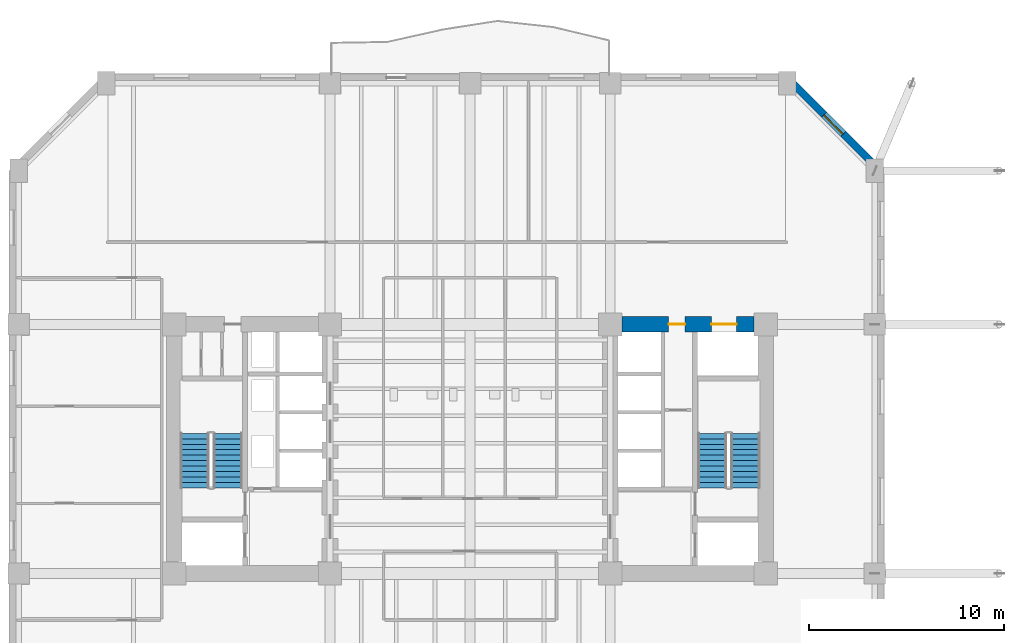
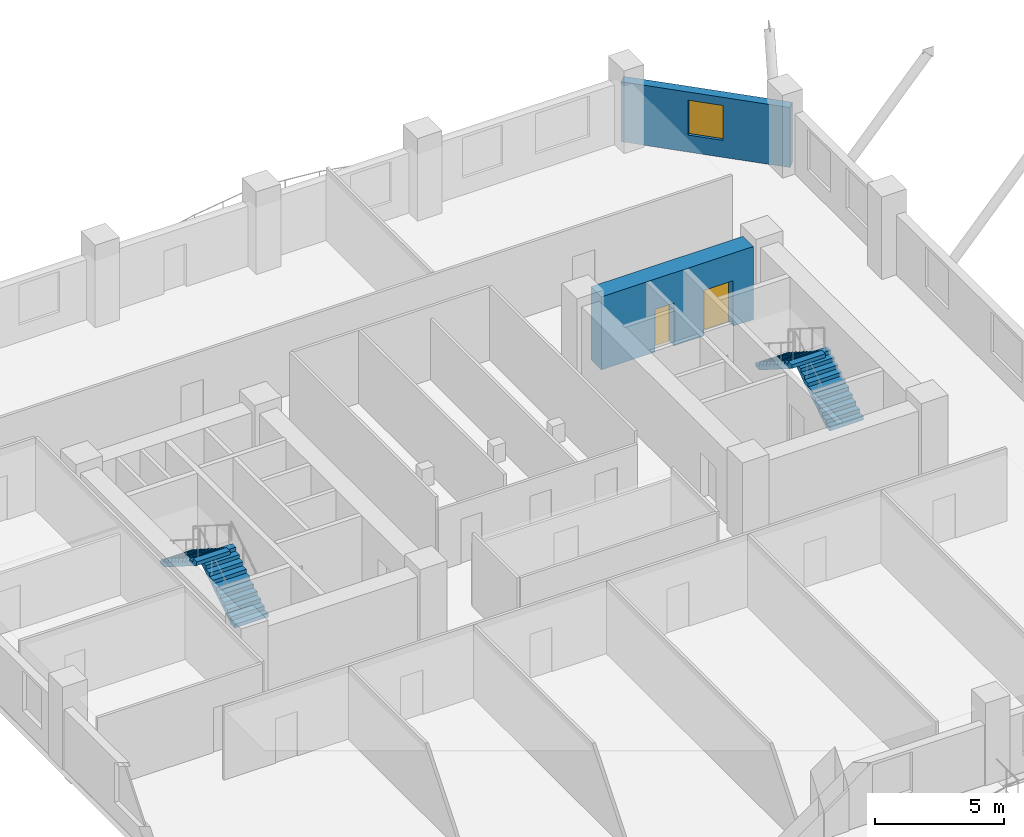
# One storey, part 8 of 13: 4 stair flights, 2 doors, 2 walls, 1 window, 3 openings, 2 elements without a shape of their own.
"""IFC4 building model written with IfcOpenShell, lengths in metres."""

from ifc_helpers import new_model, si_unit, direction, frame, frame_2d, origin, place, context, subcontext, project, spatial, polyline, rectangle, outline, extrude, material, layer, layer_set, type_object, element, fill, aggregate, save


model = new_model("IFC4")

# Units and contexts
model_context = context("Model", 3, precision=1e-05, world=origin(), true_north=direction((0.0, 1.0)))
body_context = subcontext(model_context, "Body", "Model", "MODEL_VIEW")
ifc_project = project(units=[si_unit("LENGTHUNIT", "METRE"), si_unit("AREAUNIT", "SQUARE_METRE"), si_unit("VOLUMEUNIT", "CUBIC_METRE"), si_unit("PLANEANGLEUNIT", "RADIAN"), si_unit("MASSUNIT", "GRAM", prefix="KILO")], contexts=[model_context])

# Site, building, storey
site_placement = place(None, origin())
site = spatial("IfcSite", under=ifc_project, at=site_placement, CompositionType="ELEMENT")
building_placement = place(site_placement, origin())
building = spatial("IfcBuilding", under=site, at=building_placement, Name="Kranthara Brick Stack", CompositionType="ELEMENT")
storey_placement = place(building_placement, frame((0.0, 0.0, 43.800048828125)))
storey = spatial("IfcBuildingStorey", under=building, at=storey_placement, Name="L10", CompositionType="ELEMENT", Elevation=43.800048828125)

# Wall, opening, window
ifc_material_1 = material(Name="Kiln-fired clay brick masonry M15", Category="masonry")
ifc_layer_1 = layer(ifc_material_1, 0.3798828125)
ifc_layer_set_1 = layer_set([ifc_layer_1], Name="Kiln-fired clay brick masonry M15")
wall_type_1 = type_object("IfcWallType", Name="WL-BRK-PIER-380", PredefinedType="STANDARD", material=ifc_layer_set_1)
wall_1_placement = place(storey_placement, frame((44.300048828125, 46.2900390625, 0.0), z_axis=(0.0, 0.0, 1.0), x_axis=(0.707106781187, -0.707106781187, 0.0)))
wall_1 = element("IfcWall", 1, at=wall_1_placement, inside=storey, type_object=wall_type_1, Name="L10 Exterior Brick Facade Wall NE 1", PredefinedType="STANDARD", context=body_context, shape_type="SweptSolid", body=[
    extrude(rectangle(XDim=6.774169921875, YDim=0.3798828125, at=frame_2d((3.38720703125, 0.0))), origin(), (0.0, 0.0, 1.0), 2.8349609375),
])
opening_1_placement = place(wall_1_placement, frame((2.68701171875, 0.0, 0.800048828125)))
opening_1 = element("IfcOpeningElement", 2, at=opening_1_placement, cuts=wall_1, Name="Opening WN10", PredefinedType="OPENING", context=body_context, shape_type="SweptSolid", body=[
    extrude(rectangle(XDim=1.39990234375, YDim=1.64990234375, at=frame_2d((0.699951171875, 0.824951171875))), frame((0.0, 0.199951171875, 0.0), z_axis=(0.0, -1.0, 0.0), x_axis=(1.0, 0.0, 0.0)), (0.0, 0.0, 1.0), 0.39990234375),
])
ifc_material_2 = material(Name="Double-glazed low-E solar control glass", Category="glass")
window_type = type_object("IfcWindowType", Name="WN-CHM-1400x1750", PartitioningType="SINGLE_PANEL", PredefinedType="WINDOW", material=ifc_material_2)
window_placement = place(opening_1_placement, origin())
window = element("IfcWindow", 3, at=window_placement, inside=storey, type_object=window_type, Name="L10 NE Chamfer Corner Window", OverallHeight=1.64990234375, OverallWidth=1.39990234375, PartitioningType="SINGLE_PANEL", PredefinedType="WINDOW", context=body_context, shape_type="SweptSolid", body=[
    extrude(rectangle(XDim=1.39990234375, YDim=1.64990234375, at=frame_2d((0.699951171875, 0.824951171875))), frame((0.0, -0.010009765625, 0.0), z_axis=(0.0, -1.0, 0.0), x_axis=(1.0, 0.0, 0.0)), (0.0, 0.0, 1.0), 0.06005859375),
])
fill(opening_1, window)

# Wall, openings, doors
ifc_material_3 = material(Name="Concrete C70/85", Category="concrete")
ifc_layer_2 = layer(ifc_material_3, 0.800048828125)
ifc_layer_set_2 = layer_set([ifc_layer_2], Name="Concrete C70/85")
wall_type_2 = type_object("IfcWallType", Name="WL-CORE-800", PredefinedType="SHEAR", material=ifc_layer_set_2)
wall_2_placement = place(storey_placement, frame((35.804931640625, 33.60009765625, 0.0), z_axis=(0.0, 0.0, 1.0), x_axis=(1.0, 0.0, 0.0)))
wall_2 = element("IfcWall", 4, at=wall_2_placement, inside=storey, type_object=wall_type_2, Name="L10 East Core Shear Wall North", PredefinedType="SHEAR", context=body_context, shape_type="SweptSolid", body=[
    extrude(rectangle(XDim=6.7900390625, YDim=0.800048828125, at=frame_2d((3.39501953125, 0.0))), origin(), (0.0, 0.0, 1.0), 3.449951171875),
])
opening_2_placement = place(wall_2_placement, frame((4.594970703125, 0.0, 0.0)))
opening_2 = element("IfcOpeningElement", 5, at=opening_2_placement, cuts=wall_2, Name="Opening LD03", PredefinedType="OPENING", context=body_context, shape_type="SweptSolid", body=[
    extrude(rectangle(XDim=1.300048828125, YDim=2.14990234375, at=frame_2d((0.64990234375, 1.074951171875))), frame((0.0, 0.409912109375, 0.0), z_axis=(0.0, -1.0, 0.0), x_axis=(1.0, 0.0, 0.0)), (0.0, 0.0, 1.0), 0.820068359375),
])
opening_3_placement = place(wall_2_placement, frame((2.39501953125, 0.0, 0.0)))
opening_3 = element("IfcOpeningElement", 6, at=opening_3_placement, cuts=wall_2, Name="Opening D10", PredefinedType="OPENING", context=body_context, shape_type="SweptSolid", body=[
    extrude(rectangle(XDim=0.85009765625, YDim=2.02001953125, at=frame_2d((0.425048828125, 1.010009765625))), frame((0.0, 0.409912109375, 0.0), z_axis=(0.0, -1.0, 0.0), x_axis=(1.0, 0.0, 0.0)), (0.0, 0.0, 1.0), 0.820068359375),
])
ifc_material_4 = material(Name="Stainless steel sliding landing door", Category="steel")
door_type_1 = type_object("IfcDoorType", Name="DR-LD-SV1300", OperationType="DOUBLE_DOOR_SLIDING", PredefinedType="DOOR", material=ifc_material_4)
door_1_placement = place(opening_2_placement, origin())
door_1 = element("IfcDoor", 7, at=door_1_placement, inside=storey, type_object=door_type_1, Name="L10 Stretcher Service Lift SV-01 Landing Door", OperationType="DOUBLE_DOOR_SLIDING", OverallHeight=2.14990234375, OverallWidth=1.300048828125, PredefinedType="DOOR", context=body_context, shape_type="SweptSolid", body=[
    extrude(rectangle(XDim=1.300048828125, YDim=2.14990234375, at=frame_2d((0.64990234375, 1.074951171875))), frame((0.0, 0.02490234375, 0.0), z_axis=(0.0, -1.0, 0.0), x_axis=(1.0, 0.0, 0.0)), (0.0, 0.0, 1.0), 0.050048828125),
])
fill(opening_2, door_1)
ifc_material_5 = material(Name="Solid-core hardwood timber leaf in steel frame", Category="steel")
door_type_2 = type_object("IfcDoorType", Name="DR-RSR-850", OperationType="NOTDEFINED", PredefinedType="DOOR", material=ifc_material_5)
door_2_placement = place(opening_3_placement, origin())
door_2 = element("IfcDoor", 8, at=door_2_placement, inside=storey, type_object=door_type_2, Name="L10 East Core Service Room Door", OperationType="SINGLE_SWING_LEFT", OverallHeight=2.02001953125, OverallWidth=0.85009765625, PredefinedType="DOOR", context=body_context, shape_type="SweptSolid", body=[
    extrude(rectangle(XDim=0.85009765625, YDim=2.02001953125, at=frame_2d((0.425048828125, 1.010009765625))), frame((0.0, 0.02490234375, 0.0), z_axis=(0.0, -1.0, 0.0), x_axis=(1.0, 0.0, 0.0)), (0.0, 0.0, 1.0), 0.050048828125),
])
fill(opening_3, door_2)

# Stair, stair flights
ifc_material_6 = material(Name="Concrete C45/55", Category="concrete")
stair_type = type_object("IfcStairType", Name="ST-CORE-22R", PredefinedType="HALF_TURN_STAIR", material=ifc_material_6)
stair_1_placement = place(storey_placement, origin())
stair_1 = element("IfcStair", 9, at=stair_1_placement, inside=storey, type_object=stair_type, Name="L10 West Core Protected Exit Stair ST01", PredefinedType="HALF_TURN_STAIR")
ifc_material_7 = material(Name="Concrete C45/55", Category="concrete")
stair_flight_type = type_object("IfcStairFlightType", Name="SFL-RC-22R", PredefinedType="STRAIGHT", material=ifc_material_7)
stair_flight_1_placement = place(storey_placement, frame((15.550048828125, 25.199951171875, 0.0), z_axis=(0.0, 0.0, 1.0), x_axis=(0.0, 1.0, 0.0)))
stair_flight_1 = element("IfcStairFlight", 10, at=stair_flight_1_placement, type_object=stair_flight_type, Name="ST01 flight 1", NumberOfRisers=11, NumberOfTreads=10, PredefinedType="STRAIGHT", RiserHeight=0.177272727, TreadLength=0.28, context=body_context, shape_type="SweptSolid", body=[
    extrude(outline(polyline([(0.0, 0.0), (0.0, 0.17724609375), (0.280029296875, 0.17724609375), (0.280029296875, 0.3544921875), (0.56005859375, 0.3544921875), (0.56005859375, 0.53173828125), (0.840087890625, 0.53173828125), (0.840087890625, 0.708984375), (1.1201171875, 0.708984375), (1.1201171875, 0.886474609375), (1.39990234375, 0.886474609375), (1.39990234375, 1.063720703125), (1.679931640625, 1.063720703125), (1.679931640625, 1.240966796875), (1.9599609375, 1.240966796875), (1.9599609375, 1.418212890625), (2.239990234375, 1.418212890625), (2.239990234375, 1.595458984375), (2.52001953125, 1.595458984375), (2.52001953125, 1.772705078125), (2.800048828125, 1.772705078125), (2.800048828125, 1.949951171875), (2.800048828125, 1.59521484375), (0.2802734375, 0.0), (0.0, 0.0)])), frame((0.0, 0.75, 0.0), z_axis=(0.0, -1.0, 0.0), x_axis=(1.0, 0.0, 0.0)), (0.0, 0.0, 1.0), 1.5),
])
stair_flight_2_placement = place(storey_placement, frame((13.85009765625, 28.0, 1.949951171875), z_axis=(0.0, 0.0, 1.0), x_axis=(0.0, -1.0, 0.0)))
stair_flight_2 = element("IfcStairFlight", 11, at=stair_flight_2_placement, type_object=stair_flight_type, Name="ST01 flight 2", NumberOfRisers=11, NumberOfTreads=10, PredefinedType="STRAIGHT", RiserHeight=0.177272727, TreadLength=0.28, context=body_context, shape_type="SweptSolid", body=[
    extrude(outline(polyline([(0.0, 0.0), (0.0, 0.17724609375), (0.280029296875, 0.17724609375), (0.280029296875, 0.3544921875), (0.56005859375, 0.3544921875), (0.56005859375, 0.53173828125), (0.840087890625, 0.53173828125), (0.840087890625, 0.708984375), (1.1201171875, 0.708984375), (1.1201171875, 0.886474609375), (1.39990234375, 0.886474609375), (1.39990234375, 1.063720703125), (1.679931640625, 1.063720703125), (1.679931640625, 1.240966796875), (1.9599609375, 1.240966796875), (1.9599609375, 1.418212890625), (2.239990234375, 1.418212890625), (2.239990234375, 1.595458984375), (2.52001953125, 1.595458984375), (2.52001953125, 1.772705078125), (2.800048828125, 1.772705078125), (2.800048828125, 1.949951171875), (2.800048828125, 1.59521484375), (0.2802734375, 0.0), (0.0, 0.0)])), frame((0.0, 0.75, 0.0), z_axis=(0.0, -1.0, 0.0), x_axis=(1.0, 0.0, 0.0)), (0.0, 0.0, 1.0), 1.5),
])
aggregate(stair_1, [stair_flight_1, stair_flight_2])

stair_2_placement = place(storey_placement, origin())
stair_2 = element("IfcStair", 12, at=stair_2_placement, inside=storey, type_object=stair_type, Name="L10 East Core Protected Exit Stair ST02", PredefinedType="HALF_TURN_STAIR")
stair_flight_3_placement = place(storey_placement, frame((42.14990234375, 25.199951171875, 0.0), z_axis=(0.0, 0.0, 1.0), x_axis=(0.0, 1.0, 0.0)))
stair_flight_3 = element("IfcStairFlight", 13, at=stair_flight_3_placement, type_object=stair_flight_type, Name="ST02 flight 1", NumberOfRisers=11, NumberOfTreads=10, PredefinedType="STRAIGHT", RiserHeight=0.177272727, TreadLength=0.28, context=body_context, shape_type="SweptSolid", body=[
    extrude(outline(polyline([(0.0, 0.0), (0.0, 0.17724609375), (0.280029296875, 0.17724609375), (0.280029296875, 0.3544921875), (0.56005859375, 0.3544921875), (0.56005859375, 0.53173828125), (0.840087890625, 0.53173828125), (0.840087890625, 0.708984375), (1.1201171875, 0.708984375), (1.1201171875, 0.886474609375), (1.39990234375, 0.886474609375), (1.39990234375, 1.063720703125), (1.679931640625, 1.063720703125), (1.679931640625, 1.240966796875), (1.9599609375, 1.240966796875), (1.9599609375, 1.418212890625), (2.239990234375, 1.418212890625), (2.239990234375, 1.595458984375), (2.52001953125, 1.595458984375), (2.52001953125, 1.772705078125), (2.800048828125, 1.772705078125), (2.800048828125, 1.949951171875), (2.800048828125, 1.59521484375), (0.2802734375, 0.0), (0.0, 0.0)])), frame((0.0, 0.75, 0.0), z_axis=(0.0, -1.0, 0.0), x_axis=(1.0, 0.0, 0.0)), (0.0, 0.0, 1.0), 1.5),
])
stair_flight_4_placement = place(storey_placement, frame((40.449951171875, 28.0, 1.949951171875), z_axis=(0.0, 0.0, 1.0), x_axis=(0.0, -1.0, 0.0)))
stair_flight_4 = element("IfcStairFlight", 14, at=stair_flight_4_placement, type_object=stair_flight_type, Name="ST02 flight 2", NumberOfRisers=11, NumberOfTreads=10, PredefinedType="STRAIGHT", RiserHeight=0.177272727, TreadLength=0.28, context=body_context, shape_type="SweptSolid", body=[
    extrude(outline(polyline([(0.0, 0.0), (0.0, 0.17724609375), (0.280029296875, 0.17724609375), (0.280029296875, 0.3544921875), (0.56005859375, 0.3544921875), (0.56005859375, 0.53173828125), (0.840087890625, 0.53173828125), (0.840087890625, 0.708984375), (1.1201171875, 0.708984375), (1.1201171875, 0.886474609375), (1.39990234375, 0.886474609375), (1.39990234375, 1.063720703125), (1.679931640625, 1.063720703125), (1.679931640625, 1.240966796875), (1.9599609375, 1.240966796875), (1.9599609375, 1.418212890625), (2.239990234375, 1.418212890625), (2.239990234375, 1.595458984375), (2.52001953125, 1.595458984375), (2.52001953125, 1.772705078125), (2.800048828125, 1.772705078125), (2.800048828125, 1.949951171875), (2.800048828125, 1.59521484375), (0.2802734375, 0.0), (0.0, 0.0)])), frame((0.0, 0.75, 0.0), z_axis=(0.0, -1.0, 0.0), x_axis=(1.0, 0.0, 0.0)), (0.0, 0.0, 1.0), 1.5),
])
aggregate(stair_2, [stair_flight_3, stair_flight_4])

save(model, "model.ifc")
